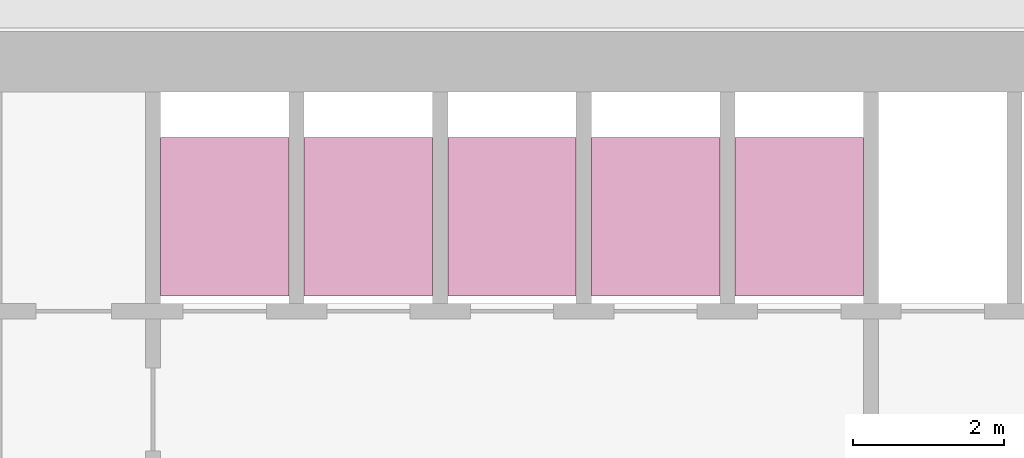
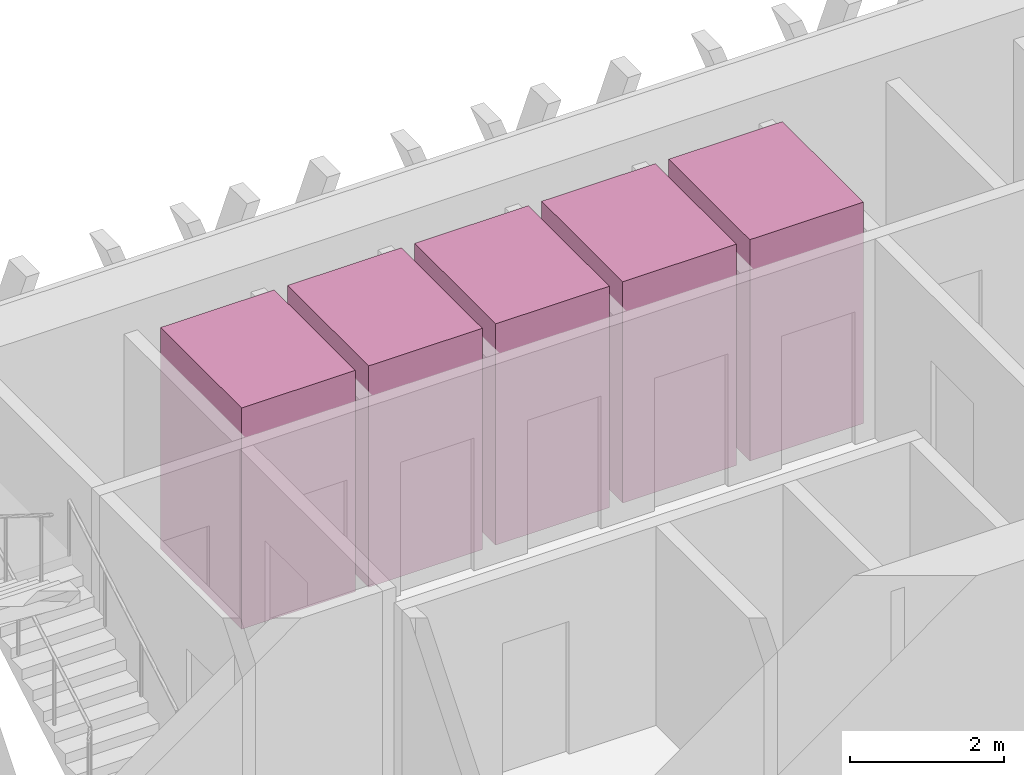
# One storey, part 16 of 16: 5 transport elements.
"""IFC4 building model written with IfcOpenShell, lengths in metres."""

from ifc_helpers import new_model, si_unit, direction, frame, origin, origin_2d, place, context, subcontext, project, spatial, rectangle, extrude, material, type_object, element, save


model = new_model("IFC4")

# Units and contexts
model_context = context("Model", 3, precision=1e-05, world=origin(), true_north=direction((0.0, 1.0)))
body_context = subcontext(model_context, "Body", "Model", "MODEL_VIEW")
ifc_project = project(units=[si_unit("LENGTHUNIT", "METRE"), si_unit("AREAUNIT", "SQUARE_METRE"), si_unit("VOLUMEUNIT", "CUBIC_METRE"), si_unit("PLANEANGLEUNIT", "RADIAN"), si_unit("MASSUNIT", "GRAM", prefix="KILO")], contexts=[model_context])

# Site, building, storey
site_placement = place(None, origin())
site = spatial("IfcSite", under=ifc_project, at=site_placement, CompositionType="ELEMENT")
building_placement = place(site_placement, origin())
building = spatial("IfcBuilding", under=site, at=building_placement, Name="Altiplano Prism Tower", CompositionType="ELEMENT")
storey_placement = place(building_placement, frame((0.0, 0.0, 127.800048828125)))
storey = spatial("IfcBuildingStorey", under=building, at=storey_placement, Name="L32", CompositionType="ELEMENT", Elevation=127.800048828125)

# Transport elements
ifc_material = material(Name="Stainless steel lift car", Category="steel")
transport_element_type = type_object("IfcTransportElementType", Name="Passenger lift car 1600 x 2100", PredefinedType="ELEVATOR", material=ifc_material)
for number, where, z_axis, x_axis, name in (
    (1, (79.050048828125, 101.75, 0.050048828125), (0.0, 0.0, 1.0), (1.0, 0.0, 0.0), "Mid Zone Passenger Lift 1"),
    (2, (80.949951171875, 101.75, 0.050048828125), (0.0, 0.0, 1.0), (1.0, 0.0, 0.0), "Mid Zone Passenger Lift 2"),
    (3, (82.85009765625, 101.75, 0.050048828125), (0.0, 0.0, 1.0), (1.0, 0.0, 0.0), "Mid Zone Passenger Lift 3"),
    (4, (84.75, 101.75, 0.050048828125), (0.0, 0.0, 1.0), (1.0, 0.0, 0.0), "Mid Zone Passenger Lift 4"),
    (5, (86.64990234375, 101.75, 0.050048828125), (0.0, 0.0, 1.0), (1.0, 0.0, 0.0), "Mid Zone Passenger Lift 5"),
):
    element("IfcTransportElement", number, at=place(storey_placement, frame(where, z_axis=z_axis, x_axis=x_axis)), inside=storey, type_object=transport_element_type, Name=name, PredefinedType="ELEVATOR", context=body_context, shape_type="SweptSolid", body=[
        extrude(rectangle(XDim=1.699951171875, YDim=2.10009765625, at=origin_2d()), origin(), (0.0, 0.0, 1.0), 3.5),
    ])

save(model, "model.ifc")
